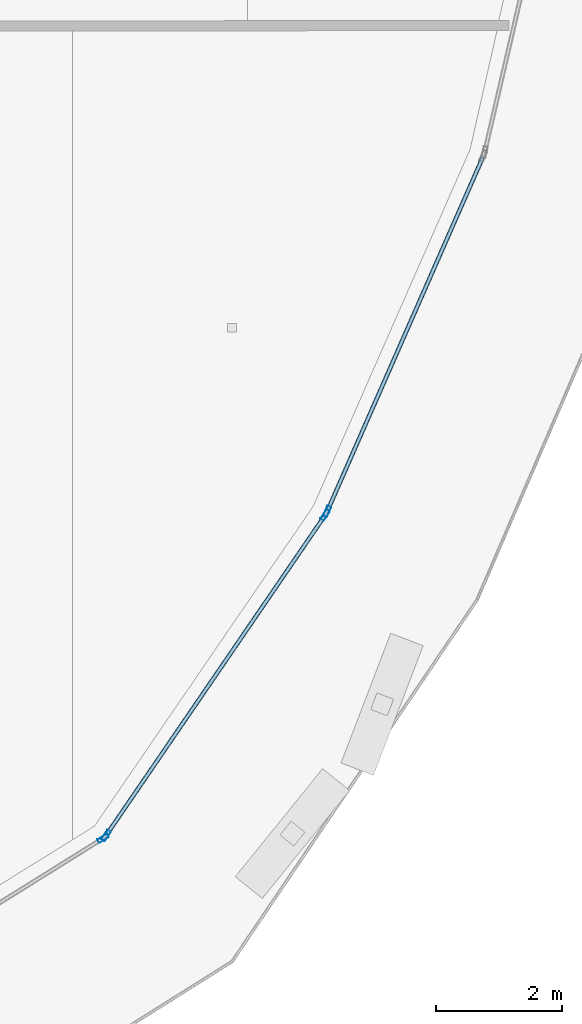
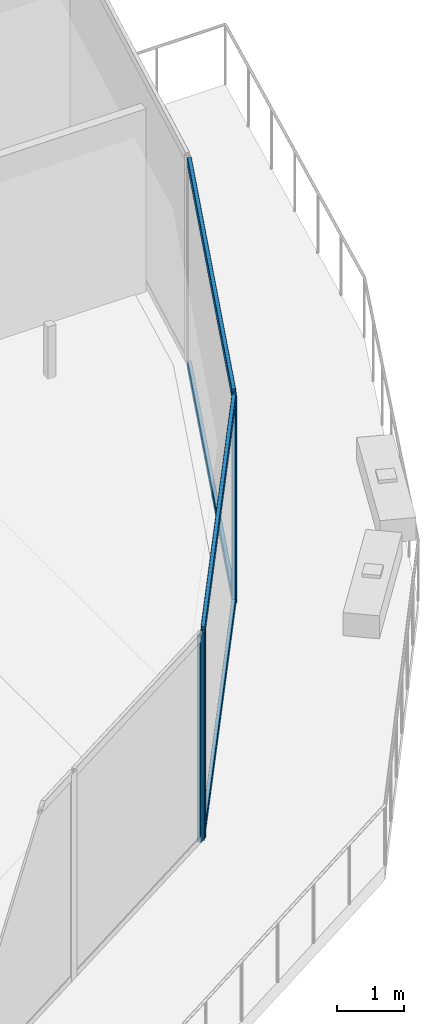
# One storey, part 12 of 37: 8 members, 3 elements without a shape of their own.
"""IFC4 building model written with IfcOpenShell, lengths in metres."""

from ifc_helpers import new_model, si_unit, direction, frame, origin, origin_2d, place, context, subcontext, project, spatial, hollow_rectangle, extrude, material, layer, layer_set, material_profile, profile_set, type_object, element, aggregate, save


model = new_model("IFC4")

# Units and contexts
model_context = context("Model", 3, precision=1e-05, world=origin(), true_north=direction((0.0, 1.0)))
body_context = subcontext(model_context, "Body", "Model", "MODEL_VIEW")
ifc_project = project(units=[si_unit("LENGTHUNIT", "METRE"), si_unit("AREAUNIT", "SQUARE_METRE"), si_unit("VOLUMEUNIT", "CUBIC_METRE"), si_unit("PLANEANGLEUNIT", "RADIAN"), si_unit("MASSUNIT", "GRAM", prefix="KILO")], contexts=[model_context])

# Site, building, storey
site_placement = place(None, origin())
site = spatial("IfcSite", under=ifc_project, at=site_placement, CompositionType="ELEMENT")
building_placement = place(site_placement, origin())
building = spatial("IfcBuilding", under=site, at=building_placement, Name="Qorvath Tower", CompositionType="ELEMENT")
storey_placement = place(building_placement, frame((0.0, 0.0, 196.949951171875)))
storey = spatial("IfcBuildingStorey", under=building, at=storey_placement, Name="L45", CompositionType="ELEMENT", Elevation=196.949951171875)

# Curtain wall, member
ifc_material_1 = material(Name="Anodised aluminium and triple low-E glass", Category="aluminium")
ifc_layer = layer(ifc_material_1, 0.179931640625)
ifc_layer_set = layer_set([ifc_layer], Name="CW-SYS-3")
curtain_wall_type = type_object("IfcCurtainWallType", Name="CW-SYS-3", PredefinedType="NOTDEFINED", material=ifc_layer_set)
curtain_wall_1_placement = place(storey_placement, origin())
curtain_wall_1 = element("IfcCurtainWall", 1, at=curtain_wall_1_placement, inside=storey, type_object=curtain_wall_type, Name="Curtain Wall CW-3 CW-T-L45-4.1", PredefinedType="NOTDEFINED")
ifc_material_2 = material(Name="Anodised aluminium 6063-T6", Category="aluminium")
ifc_material_profile_1 = material_profile(ifc_material_2, hollow_rectangle(XDim=0.06494140625, YDim=0.179931640625, WallThickness=0.00341796875, InnerFilletRadius=0.00341796875, OuterFilletRadius=0.007080078125, at=origin_2d()), Name="CWM 180x65")
ifc_profile_set_1 = profile_set([ifc_material_profile_1], Name="Anodised aluminium 6063-T6")
member_type_1 = type_object("IfcMemberType", Name="CWM-180", PredefinedType="MULLION", material=ifc_profile_set_1)
member_1_placement = place(storey_placement, frame((-5.7587890625, -21.410888671875, 0.0), z_axis=(0.0, 0.0, 1.0), x_axis=(-0.529206179006, 0.848493264618, 0.0)))
member_1 = element("IfcMember", 2, at=member_1_placement, type_object=member_type_1, Name="CW-3 mullion 3", PredefinedType="MULLION", context=body_context, shape_type="SweptSolid", body=[
    extrude(hollow_rectangle(XDim=0.06494140625, YDim=0.179931640625, WallThickness=0.00341796875, InnerFilletRadius=0.00341796875, OuterFilletRadius=0.007080078125, at=origin_2d()), origin(), (0.0, 0.0, 1.0), 3.780029296875),
])
aggregate(curtain_wall_1, [member_1])

# Curtain wall, members
curtain_wall_2_placement = place(storey_placement, origin())
curtain_wall_2 = element("IfcCurtainWall", 3, at=curtain_wall_2_placement, inside=storey, type_object=curtain_wall_type, Name="Curtain Wall CW-3 CW-T-L45-5.1", PredefinedType="NOTDEFINED")
member_2_placement = place(storey_placement, frame((-5.712890625, -21.366943359375, 0.0), z_axis=(0.0, 0.0, 1.0), x_axis=(-0.825424850974, 0.56451201528, 0.0)))
member_2 = element("IfcMember", 4, at=member_2_placement, type_object=member_type_1, Name="CW-3 mullion 1", PredefinedType="MULLION", context=body_context, shape_type="SweptSolid", body=[
    extrude(hollow_rectangle(XDim=0.06494140625, YDim=0.179931640625, WallThickness=0.00341796875, InnerFilletRadius=0.00341796875, OuterFilletRadius=0.007080078125, at=origin_2d()), origin(), (0.0, 0.0, 1.0), 3.780029296875),
])
member_3_placement = place(storey_placement, frame((-2.240966796875, -16.29052734375, 0.0), z_axis=(0.0, 0.0, 1.0), x_axis=(-0.825424850974, 0.56451201528, 0.0)))
member_3 = element("IfcMember", 5, at=member_3_placement, type_object=member_type_1, Name="CW-3 mullion 2", PredefinedType="MULLION", context=body_context, shape_type="SweptSolid", body=[
    extrude(hollow_rectangle(XDim=0.06494140625, YDim=0.179931640625, WallThickness=0.00341796875, InnerFilletRadius=0.00341796875, OuterFilletRadius=0.007080078125, at=origin_2d()), origin(), (0.0, 0.0, 1.0), 3.780029296875),
])

# Curtain wall, member
curtain_wall_3_placement = place(storey_placement, origin())
curtain_wall_3 = element("IfcCurtainWall", 6, at=curtain_wall_3_placement, inside=storey, type_object=curtain_wall_type, Name="Curtain Wall CW-3 CW-T-L45-6.1", PredefinedType="NOTDEFINED")
member_4_placement = place(storey_placement, frame((-2.209716796875, -16.23388671875, 0.0), z_axis=(0.0, 0.0, 1.0), x_axis=(-0.915498802884, 0.402320695364, 0.0)))
member_4 = element("IfcMember", 7, at=member_4_placement, type_object=member_type_1, Name="CW-3 mullion 1", PredefinedType="MULLION", context=body_context, shape_type="SweptSolid", body=[
    extrude(hollow_rectangle(XDim=0.06494140625, YDim=0.179931640625, WallThickness=0.00341796875, InnerFilletRadius=0.00341796875, OuterFilletRadius=0.007080078125, at=origin_2d()), origin(), (0.0, 0.0, 1.0), 3.780029296875),
])

# Member
ifc_material_3 = material(Name="Anodised aluminium 6063-T6", Category="aluminium")
ifc_material_profile_2 = material_profile(ifc_material_3, hollow_rectangle(XDim=0.06494140625, YDim=0.159912109375, WallThickness=0.00341796875, InnerFilletRadius=0.00341796875, OuterFilletRadius=0.007080078125, at=origin_2d()), Name="CWT 160x65")
ifc_profile_set_2 = profile_set([ifc_material_profile_2], Name="Anodised aluminium 6063-T6")
member_type_2 = type_object("IfcMemberType", Name="CWT-160", PredefinedType="USERDEFINED", material=ifc_profile_set_2)
member_5_placement = place(storey_placement, frame((-5.694580078125, -21.340087890625, 0.032470703125), z_axis=(0.564540077657, 0.825405658279, 0.0), x_axis=(-0.825405658279, 0.564540077657, 0.0)))
member_5 = element("IfcMember", 8, at=member_5_placement, type_object=member_type_2, Name="CW-3 transom 1.1", ObjectType="TRANSOM", PredefinedType="USERDEFINED", context=body_context, shape_type="SweptSolid", body=[
    extrude(hollow_rectangle(XDim=0.06494140625, YDim=0.159912109375, WallThickness=0.00341796875, InnerFilletRadius=0.00341796875, OuterFilletRadius=0.007080078125, at=origin_2d()), origin(), (0.0, 0.0, 1.0), 6.085205078125),
])

member_6_placement = place(storey_placement, frame((-5.694580078125, -21.340087890625, 3.74755859375), z_axis=(0.564540077657, 0.825405658279, 0.0), x_axis=(-0.825405658279, 0.564540077657, 0.0)))
member_6 = element("IfcMember", 9, at=member_6_placement, type_object=member_type_2, Name="CW-3 transom 1.2", ObjectType="TRANSOM", PredefinedType="USERDEFINED", context=body_context, shape_type="SweptSolid", body=[
    extrude(hollow_rectangle(XDim=0.06494140625, YDim=0.159912109375, WallThickness=0.00341796875, InnerFilletRadius=0.00341796875, OuterFilletRadius=0.007080078125, at=origin_2d()), origin(), (0.0, 0.0, 1.0), 6.085205078125),
])

aggregate(curtain_wall_2, [member_2, member_3, member_5, member_6])

member_7_placement = place(storey_placement, frame((-2.196533203125, -16.2041015625, 0.032470703125), z_axis=(0.402337899002, 0.915491242463, 0.0), x_axis=(-0.915491242463, 0.402337899002, 0.0)))
member_7 = element("IfcMember", 10, at=member_7_placement, type_object=member_type_2, Name="CW-3 transom 1.1", ObjectType="TRANSOM", PredefinedType="USERDEFINED", context=body_context, shape_type="SweptSolid", body=[
    extrude(hollow_rectangle(XDim=0.06494140625, YDim=0.159912109375, WallThickness=0.00341796875, InnerFilletRadius=0.00341796875, OuterFilletRadius=0.007080078125, at=origin_2d()), origin(), (0.0, 0.0, 1.0), 6.0849609375),
])

member_8_placement = place(storey_placement, frame((-2.196533203125, -16.2041015625, 3.74755859375), z_axis=(0.402337899002, 0.915491242463, 0.0), x_axis=(-0.915491242463, 0.402337899002, 0.0)))
member_8 = element("IfcMember", 11, at=member_8_placement, type_object=member_type_2, Name="CW-3 transom 1.2", ObjectType="TRANSOM", PredefinedType="USERDEFINED", context=body_context, shape_type="SweptSolid", body=[
    extrude(hollow_rectangle(XDim=0.06494140625, YDim=0.159912109375, WallThickness=0.00341796875, InnerFilletRadius=0.00341796875, OuterFilletRadius=0.007080078125, at=origin_2d()), origin(), (0.0, 0.0, 1.0), 6.0849609375),
])

aggregate(curtain_wall_3, [member_4, member_7, member_8])

save(model, "model.ifc")
